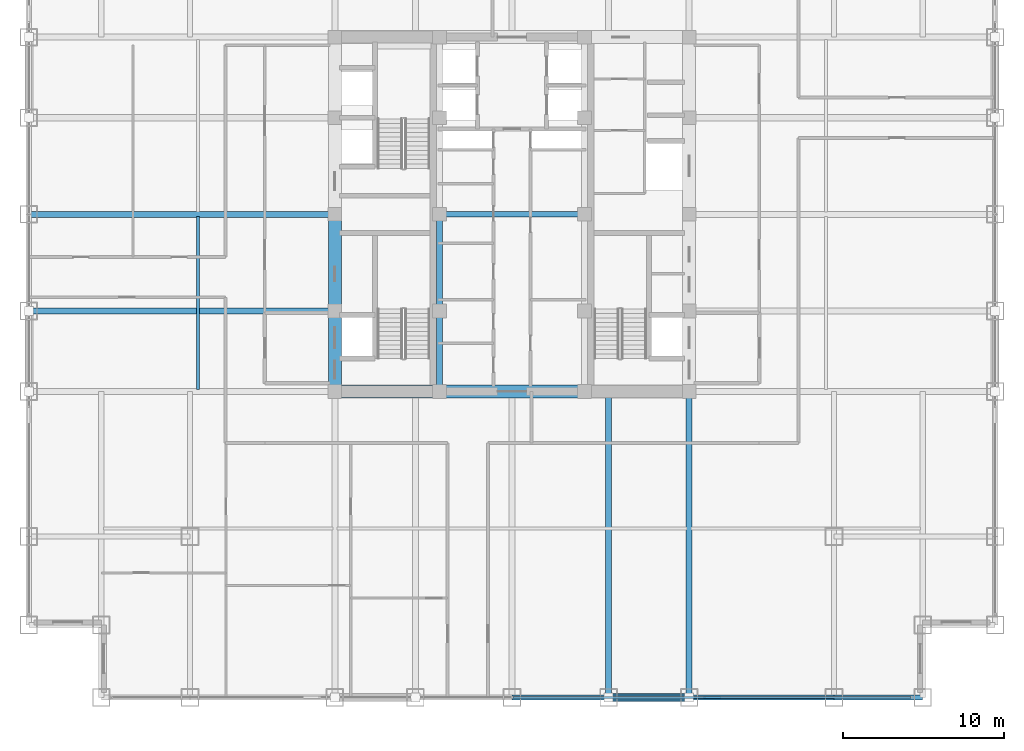
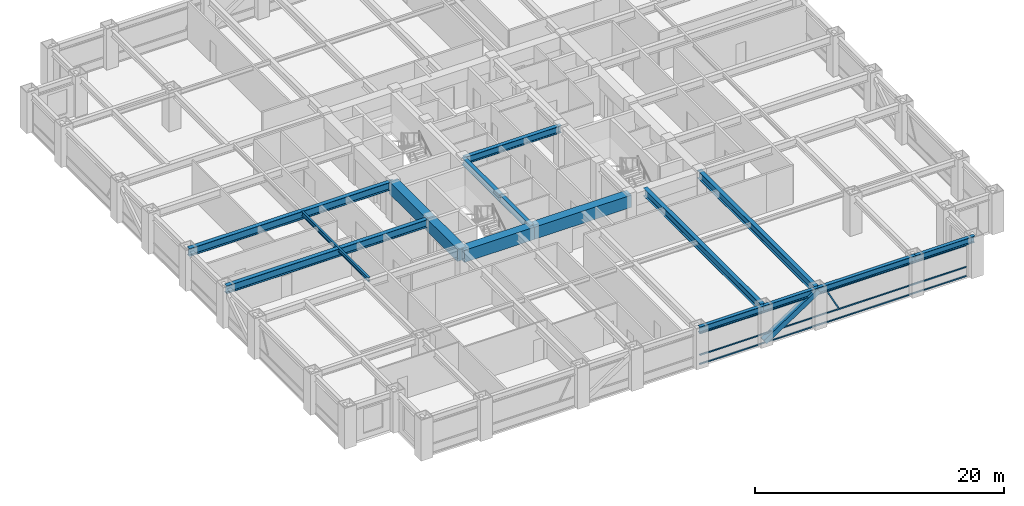
# One storey, part 7 of 24: 16 beams, 5 members, 1 element without a shape of its own.
"""IFC4 building model written with IfcOpenShell, lengths in metres."""

from ifc_helpers import new_model, si_unit, direction, frame, origin, origin_2d, place, context, subcontext, project, spatial, rectangle, hollow_rectangle, i_section, extrude, source, transform, mapped, material, material_profile, profile_set, type_object, element, aggregate, save


model = new_model("IFC4")

# Units and contexts
model_context = context("Model", 3, precision=1e-05, world=origin(), true_north=direction((0.0, 1.0)))
body_context = subcontext(model_context, "Body", "Model", "MODEL_VIEW")
ifc_project = project(units=[si_unit("LENGTHUNIT", "METRE"), si_unit("AREAUNIT", "SQUARE_METRE"), si_unit("VOLUMEUNIT", "CUBIC_METRE"), si_unit("PLANEANGLEUNIT", "RADIAN"), si_unit("MASSUNIT", "GRAM", prefix="KILO")], contexts=[model_context])

# Site, building, storey
site_placement = place(None, origin())
site = spatial("IfcSite", under=ifc_project, at=site_placement, CompositionType="ELEMENT")
building_placement = place(site_placement, origin())
building = spatial("IfcBuilding", under=site, at=building_placement, Name="Khorayat Bourse Tower", CompositionType="ELEMENT")
storey_placement = place(building_placement, frame((0.0, 0.0, 171.10009765625)))
storey = spatial("IfcBuildingStorey", under=building, at=storey_placement, Name="L39", CompositionType="ELEMENT", Elevation=171.10009765625)

# Beams
ifc_material_1 = material(Name="Concrete C72/90", Category="concrete")
ifc_material_profile_1 = material_profile(ifc_material_1, rectangle(XDim=0.800048828125, YDim=1.199951171875, at=origin_2d()), Name="RC 800x1200")
ifc_profile_set_1 = profile_set([ifc_material_profile_1], Name="Concrete C72/90")
beam_type_1 = type_object("IfcBeamType", Name="BM-COUP-1200", PredefinedType="BEAM", material=ifc_profile_set_1)
shared_shape_1 = source(origin(), body_context, "Body", "SweptSolid", [
    extrude(rectangle(XDim=0.800048828125, YDim=1.199951171875, at=origin_2d()), origin(), (0.0, 0.0, 1.0), 5.0),
])
beam_1_placement = place(storey_placement, frame((-11.0, -11.0, 3.179931640625), z_axis=(0.0, 1.0, 0.0), x_axis=(-1.0, 0.0, 0.0)))
element("IfcBeam", 1, at=beam_1_placement, inside=storey, type_object=beam_type_1, Name="L39 BM-COUP-1200 BM-L39-CRX-01", PredefinedType="BEAM", context=body_context, shape_type="MappedRepresentation", body=[
    mapped(shared_shape_1, transform((0.0, 0.0, 0.0), scale=1.0)),
])
shared_shape_2 = source(origin(), body_context, "Body", "SweptSolid", [
    extrude(rectangle(XDim=0.800048828125, YDim=1.199951171875, at=origin_2d()), origin(), (0.0, 0.0, 1.0), 6.0),
])
beam_2_placement = place(storey_placement, frame((-11.0, -6.0, 3.179931640625), z_axis=(0.0, 1.0, 0.0), x_axis=(-1.0, 0.0, 0.0)))
element("IfcBeam", 2, at=beam_2_placement, inside=storey, type_object=beam_type_1, Name="L39 BM-COUP-1200 BM-L39-CRX-02", PredefinedType="BEAM", context=body_context, shape_type="MappedRepresentation", body=[
    mapped(shared_shape_2, transform((0.0, 0.0, 0.0), scale=1.0)),
])
ifc_material_2 = material(Name="Steel ASTM A992 Grade 50", Category="steel")
ifc_material_profile_2 = material_profile(ifc_material_2, i_section(OverallWidth=0.35498046875, OverallDepth=0.695068359375, WebThickness=0.015380859375, FlangeThickness=0.02490234375, FilletRadius=0.01806640625, at=origin_2d()), Name="W690X217")
ifc_profile_set_2 = profile_set([ifc_material_profile_2], Name="Steel ASTM A992 Grade 50")
beam_type_2 = type_object("IfcBeamType", Name="BM-GIRD-690", PredefinedType="BEAM", material=ifc_profile_set_2)
shared_shape_3 = source(origin(), body_context, "Body", "SweptSolid", [
    extrude(i_section(OverallWidth=0.35498046875, OverallDepth=0.695068359375, WebThickness=0.015380859375, FlangeThickness=0.02490234375, FilletRadius=0.01806640625, at=origin_2d()), origin(), (0.0, 0.0, 1.0), 5.0),
])
beam_3_placement = place(storey_placement, frame((-4.5, -11.0, 3.432373046875), z_axis=(0.0, 1.0, 0.0), x_axis=(-1.0, 0.0, 0.0)))
element("IfcBeam", 3, at=beam_3_placement, inside=storey, type_object=beam_type_2, Name="L39 BM-GIRD-690 BM-L39-CRX-05", PredefinedType="BEAM", context=body_context, shape_type="MappedRepresentation", body=[
    mapped(shared_shape_3, transform((0.0, 0.0, 0.0), scale=1.0)),
])
shared_shape_4 = source(origin(), body_context, "Body", "SweptSolid", [
    extrude(i_section(OverallWidth=0.35498046875, OverallDepth=0.695068359375, WebThickness=0.015380859375, FlangeThickness=0.02490234375, FilletRadius=0.01806640625, at=origin_2d()), origin(), (0.0, 0.0, 1.0), 6.0),
])
beam_4_placement = place(storey_placement, frame((-4.5, -6.0, 3.432373046875), z_axis=(0.0, 1.0, 0.0), x_axis=(-1.0, 0.0, 0.0)))
element("IfcBeam", 4, at=beam_4_placement, inside=storey, type_object=beam_type_2, Name="L39 BM-GIRD-690 BM-L39-CRX-06", PredefinedType="BEAM", context=body_context, shape_type="MappedRepresentation", body=[
    mapped(shared_shape_4, transform((0.0, 0.0, 0.0), scale=1.0)),
])
shared_shape_5 = source(origin(), body_context, "Body", "SweptSolid", [
    extrude(rectangle(XDim=0.800048828125, YDim=1.199951171875, at=origin_2d()), origin(), (0.0, 0.0, 1.0), 6.5),
])
beam_5_placement = place(storey_placement, frame((-11.0, -11.0, 3.179931640625), z_axis=(1.0, 0.0, 0.0), x_axis=(0.0, 1.0, 0.0)))
element("IfcBeam", 5, at=beam_5_placement, inside=storey, type_object=beam_type_1, Name="L39 BM-COUP-1200 BM-L39-CRY-17", PredefinedType="BEAM", context=body_context, shape_type="MappedRepresentation", body=[
    mapped(shared_shape_5, transform((0.0, 0.0, 0.0), scale=1.0)),
])
shared_shape_6 = source(origin(), body_context, "Body", "SweptSolid", [
    extrude(rectangle(XDim=0.800048828125, YDim=1.199951171875, at=origin_2d()), origin(), (0.0, 0.0, 1.0), 9.0),
])
beam_6_placement = place(storey_placement, frame((-4.5, -11.0, 3.179931640625), z_axis=(1.0, 0.0, 0.0), x_axis=(0.0, 1.0, 0.0)))
element("IfcBeam", 6, at=beam_6_placement, inside=storey, type_object=beam_type_1, Name="L39 BM-COUP-1200 BM-L39-CRY-18", PredefinedType="BEAM", context=body_context, shape_type="MappedRepresentation", body=[
    mapped(shared_shape_6, transform((0.0, 0.0, 0.0), scale=1.0)),
])
shared_shape_7 = source(origin(), body_context, "Body", "SweptSolid", [
    extrude(i_section(OverallWidth=0.35498046875, OverallDepth=0.695068359375, WebThickness=0.015380859375, FlangeThickness=0.02490234375, FilletRadius=0.01806640625, at=origin_2d()), origin(), (0.0, 0.0, 1.0), 9.0),
])
beam_7_placement = place(storey_placement, frame((-4.5, 0.0, 3.432373046875), z_axis=(1.0, 0.0, 0.0), x_axis=(0.0, 1.0, 0.0)))
element("IfcBeam", 7, at=beam_7_placement, inside=storey, type_object=beam_type_2, Name="L39 BM-GIRD-690 BM-L39-CRY-23", PredefinedType="BEAM", context=body_context, shape_type="MappedRepresentation", body=[
    mapped(shared_shape_7, transform((0.0, 0.0, 0.0), scale=1.0)),
])
ifc_material_profile_3 = material_profile(ifc_material_2, i_section(OverallWidth=0.381103515625, OverallDepth=0.77294921875, WebThickness=0.0166015625, FlangeThickness=0.027587890625, FilletRadius=0.01806640625, at=origin_2d()), Name="W760X257")
ifc_profile_set_3 = profile_set([ifc_material_profile_3], Name="Steel ASTM A992 Grade 50")
beam_type_3 = type_object("IfcBeamType", Name="BM-GIRD-760", PredefinedType="BEAM", material=ifc_profile_set_3)
shared_shape_8 = source(origin(), body_context, "Body", "SweptSolid", [
    extrude(i_section(OverallWidth=0.381103515625, OverallDepth=0.77294921875, WebThickness=0.0166015625, FlangeThickness=0.027587890625, FilletRadius=0.01806640625, at=origin_2d()), origin(), (0.0, 0.0, 1.0), 19.0),
])
for number, where, z_axis, x_axis, name in (
    (8, (6.0, -30.0, 3.393310546875), (0.0, 1.0, 0.0), (-1.0, 0.0, 0.0), "L39 BM-GIRD-760 BM-L39-RADY-071"),
    (9, (11.0, -30.0, 3.393310546875), (0.0, 1.0, 0.0), (-1.0, 0.0, 0.0), "L39 BM-GIRD-760 BM-L39-RADY-073"),
    (10, (-30.0, -6.0, 3.393310546875), (1.0, 0.0, 0.0), (0.0, 1.0, 0.0), "L39 BM-GIRD-760 BM-L39-RADX-077"),
    (11, (-30.0, 0.0, 3.393310546875), (1.0, 0.0, 0.0), (0.0, 1.0, 0.0), "L39 BM-GIRD-760 BM-L39-RADX-079"),
):
    element("IfcBeam", number, at=place(storey_placement, frame(where, z_axis=z_axis, x_axis=x_axis)), inside=storey, type_object=beam_type_3, Name=name, PredefinedType="BEAM", context=body_context, shape_type="MappedRepresentation", body=[
        mapped(shared_shape_8, transform((0.0, 0.0, 0.0), scale=1.0)),
    ])
ifc_material_profile_4 = material_profile(ifc_material_2, i_section(OverallWidth=0.180908203125, OverallDepth=0.4169921875, WebThickness=0.010986328125, FlangeThickness=0.018310546875, FilletRadius=0.011962890625, at=origin_2d()), Name="W410X85")
ifc_profile_set_4 = profile_set([ifc_material_profile_4], Name="Steel ASTM A992 Grade 50")
beam_type_4 = type_object("IfcBeamType", Name="BM-JOIST-410", PredefinedType="JOIST", material=ifc_profile_set_4)
shared_shape_9 = source(origin(), body_context, "Body", "SweptSolid", [
    extrude(i_section(OverallWidth=0.180908203125, OverallDepth=0.4169921875, WebThickness=0.010986328125, FlangeThickness=0.018310546875, FilletRadius=0.011962890625, at=origin_2d()), origin(), (0.0, 0.0, 1.0), 10.740234375),
])
beam_8_placement = place(storey_placement, frame((-19.5, -10.8701171875, 3.5712890625), z_axis=(0.0, 1.0, 0.0), x_axis=(-1.0, 0.0, 0.0)))
element("IfcBeam", 12, at=beam_8_placement, inside=storey, type_object=beam_type_4, Name="L39 BM-JOIST-410 BM-L39-JSTY-102", PredefinedType="JOIST", context=body_context, shape_type="MappedRepresentation", body=[
    mapped(shared_shape_9, transform((0.0, 0.0, 0.0), scale=1.0)),
])
ifc_material_profile_5 = material_profile(ifc_material_2, i_section(OverallWidth=0.324951171875, OverallDepth=0.615966796875, WebThickness=0.013916015625, FlangeThickness=0.021484375, FilletRadius=0.01611328125, at=origin_2d()), Name="W610X174")
ifc_profile_set_5 = profile_set([ifc_material_profile_5], Name="Steel ASTM A992 Grade 50")
beam_type_5 = type_object("IfcBeamType", Name="BM-SPAN-610", PredefinedType="SPANDREL", material=ifc_profile_set_5)
shared_shape_10 = source(origin(), body_context, "Body", "SweptSolid", [
    extrude(i_section(OverallWidth=0.324951171875, OverallDepth=0.615966796875, WebThickness=0.013916015625, FlangeThickness=0.021484375, FilletRadius=0.01611328125, at=origin_2d()), origin(), (0.0, 0.0, 1.0), 5.5),
])
beam_9_placement = place(storey_placement, frame((20.0, -30.0, 3.471923828125), z_axis=(1.0, 0.0, 0.0), x_axis=(0.0, 1.0, 0.0)))
element("IfcBeam", 13, at=beam_9_placement, inside=storey, type_object=beam_type_5, Name="L39 BM-SPAN-610 BM-L39-SPN-031", PredefinedType="SPANDREL", context=body_context, shape_type="MappedRepresentation", body=[
    mapped(shared_shape_10, transform((0.0, 0.0, 0.0), scale=1.0)),
])
shared_shape_11 = source(origin(), body_context, "Body", "SweptSolid", [
    extrude(i_section(OverallWidth=0.324951171875, OverallDepth=0.615966796875, WebThickness=0.013916015625, FlangeThickness=0.021484375, FilletRadius=0.01611328125, at=origin_2d()), origin(), (0.0, 0.0, 1.0), 9.0),
])
beam_10_placement = place(storey_placement, frame((11.0, -30.0, 3.471923828125), z_axis=(1.0, 0.0, 0.0), x_axis=(0.0, 1.0, 0.0)))
element("IfcBeam", 14, at=beam_10_placement, inside=storey, type_object=beam_type_5, Name="L39 BM-SPAN-610 BM-L39-SPN-030", PredefinedType="SPANDREL", context=body_context, shape_type="MappedRepresentation", body=[
    mapped(shared_shape_11, transform((0.0, 0.0, 0.0), scale=1.0)),
])
shared_shape_12 = source(origin(), body_context, "Body", "SweptSolid", [
    extrude(i_section(OverallWidth=0.324951171875, OverallDepth=0.615966796875, WebThickness=0.013916015625, FlangeThickness=0.021484375, FilletRadius=0.01611328125, at=origin_2d()), origin(), (0.0, 0.0, 1.0), 5.0),
])
beam_11_placement = place(storey_placement, frame((6.0, -30.0, 3.471923828125), z_axis=(1.0, 0.0, 0.0), x_axis=(0.0, 1.0, 0.0)))
element("IfcBeam", 15, at=beam_11_placement, inside=storey, type_object=beam_type_5, Name="L39 BM-SPAN-610 BM-L39-SPN-029", PredefinedType="SPANDREL", context=body_context, shape_type="MappedRepresentation", body=[
    mapped(shared_shape_12, transform((0.0, 0.0, 0.0), scale=1.0)),
])
shared_shape_13 = source(origin(), body_context, "Body", "SweptSolid", [
    extrude(i_section(OverallWidth=0.324951171875, OverallDepth=0.615966796875, WebThickness=0.013916015625, FlangeThickness=0.021484375, FilletRadius=0.01611328125, at=origin_2d()), origin(), (0.0, 0.0, 1.0), 6.0),
])
beam_12_placement = place(storey_placement, frame((0.0, -30.0, 3.471923828125), z_axis=(1.0, 0.0, 0.0), x_axis=(0.0, 1.0, 0.0)))
element("IfcBeam", 16, at=beam_12_placement, inside=storey, type_object=beam_type_5, Name="L39 BM-SPAN-610 BM-L39-SPN-028", PredefinedType="SPANDREL", context=body_context, shape_type="MappedRepresentation", body=[
    mapped(shared_shape_13, transform((0.0, 0.0, 0.0), scale=1.0)),
])

# Member
ifc_material_3 = material(Name="Steel EN 10025-4 S460M", Category="steel")
ifc_material_profile_6 = material_profile(ifc_material_3, hollow_rectangle(XDim=0.5, YDim=0.5, WallThickness=0.028076171875, at=origin_2d()), Name="HSS 500x500x28")
ifc_profile_set_6 = profile_set([ifc_material_profile_6], Name="Steel EN 10025-4 S460M")
member_type_1 = type_object("IfcMemberType", Name="MBR-TUBE-500", PredefinedType="BRACE", material=ifc_profile_set_6)
shared_shape_14 = source(origin(), body_context, "Body", "SweptSolid", [
    extrude(hollow_rectangle(XDim=0.5, YDim=0.5, WallThickness=0.028076171875, at=origin_2d()), origin(), (0.0, 0.0, 1.0), 5.979736328125),
])
member_1_placement = place(storey_placement, frame((6.0, -30.0, 0.25), z_axis=(0.836160261256, 0.0, 0.548485202623), x_axis=(0.0, 1.0, 0.0)))
element("IfcMember", 17, at=member_1_placement, inside=storey, type_object=member_type_1, Name="L39 Perimeter Tube Brace 02", PredefinedType="BRACE", context=body_context, shape_type="MappedRepresentation", body=[
    mapped(shared_shape_14, transform((0.0, 0.0, 0.0), scale=1.0)),
])

# Curtain wall, members
ifc_material_4 = material(Name="Aluminium EN AW-6063 T6", Category="aluminium")
curtain_wall_type = type_object("IfcCurtainWallType", Name="CW-SYS-03", PredefinedType="NOTDEFINED", material=ifc_material_4)
curtain_wall_placement = place(storey_placement, origin())
curtain_wall = element("IfcCurtainWall", 18, at=curtain_wall_placement, inside=storey, type_object=curtain_wall_type, Name="L39 Curtain Wall CW-L39-S1", PredefinedType="NOTDEFINED")
ifc_material_profile_7 = material_profile(ifc_material_4, hollow_rectangle(XDim=0.1201171875, YDim=0.1201171875, WallThickness=0.0048828125, at=origin_2d()), Name="ALU 120x120x5")
ifc_profile_set_7 = profile_set([ifc_material_profile_7], Name="Aluminium EN AW-6063 T6")
member_type_2 = type_object("IfcMemberType", Name="CWM-DIAG-120", PredefinedType="MULLION", material=ifc_profile_set_7)
shared_shape_15 = source(origin(), body_context, "Body", "SweptSolid", [
    extrude(hollow_rectangle(XDim=0.1201171875, YDim=0.1201171875, WallThickness=0.0048828125, at=origin_2d()), origin(), (0.0, 0.0, 1.0), 2.079345703125),
])
member_2_placement = place(storey_placement, frame((12.904296875, -30.0, 1.08984375), z_axis=(-0.465760949701, 0.0, 0.884910581773), x_axis=(0.0, -1.0, 0.0)))
member_2 = element("IfcMember", 19, at=member_2_placement, type_object=member_type_2, Name="CW-L39-S1 Faceted Diagonal Mullion 2", PredefinedType="MULLION", context=body_context, shape_type="MappedRepresentation", body=[
    mapped(shared_shape_15, transform((0.0, 0.0, 0.0), scale=1.0)),
])
ifc_material_profile_8 = material_profile(ifc_material_4, hollow_rectangle(XDim=0.1201171875, YDim=0.1201171875, WallThickness=0.0048828125, at=origin_2d()), Name="ALU 120x120x5")
ifc_profile_set_8 = profile_set([ifc_material_profile_8], Name="Aluminium EN AW-6063 T6")
member_type_3 = type_object("IfcMemberType", Name="CWT-HORZ-120", PredefinedType="USERDEFINED", material=ifc_profile_set_8)
shared_shape_16 = source(origin(), body_context, "Body", "SweptSolid", [
    extrude(hollow_rectangle(XDim=0.1201171875, YDim=0.1201171875, WallThickness=0.0048828125, at=origin_2d()), origin(), (0.0, 0.0, 1.0), 24.719970703125),
])
member_3_placement = place(storey_placement, frame((0.06005859375, -30.0, 0.059814453125), z_axis=(1.0, 0.0, 0.0), x_axis=(0.0, 1.0, 0.0)))
member_3 = element("IfcMember", 20, at=member_3_placement, type_object=member_type_3, Name="CW-L39-S1 Horizontal Transom 2-1", ObjectType="TRANSOM", PredefinedType="USERDEFINED", context=body_context, shape_type="MappedRepresentation", body=[
    mapped(shared_shape_16, transform((0.0, 0.0, 0.0), scale=1.0)),
])
member_4_placement = place(storey_placement, frame((0.06005859375, -30.0, 0.949951171875), z_axis=(1.0, 0.0, 0.0), x_axis=(0.0, 1.0, 0.0)))
member_4 = element("IfcMember", 21, at=member_4_placement, type_object=member_type_3, Name="CW-L39-S1 Horizontal Transom 2-2", ObjectType="TRANSOM", PredefinedType="USERDEFINED", context=body_context, shape_type="MappedRepresentation", body=[
    mapped(shared_shape_16, transform((0.0, 0.0, 0.0), scale=1.0)),
])
member_5_placement = place(storey_placement, frame((0.06005859375, -30.0, 3.06982421875), z_axis=(1.0, 0.0, 0.0), x_axis=(0.0, 1.0, 0.0)))
member_5 = element("IfcMember", 22, at=member_5_placement, type_object=member_type_3, Name="CW-L39-S1 Horizontal Transom 2-3", ObjectType="TRANSOM", PredefinedType="USERDEFINED", context=body_context, shape_type="MappedRepresentation", body=[
    mapped(shared_shape_16, transform((0.0, 0.0, 0.0), scale=1.0)),
])
aggregate(curtain_wall, [member_3, member_4, member_5, member_2])

save(model, "model.ifc")
